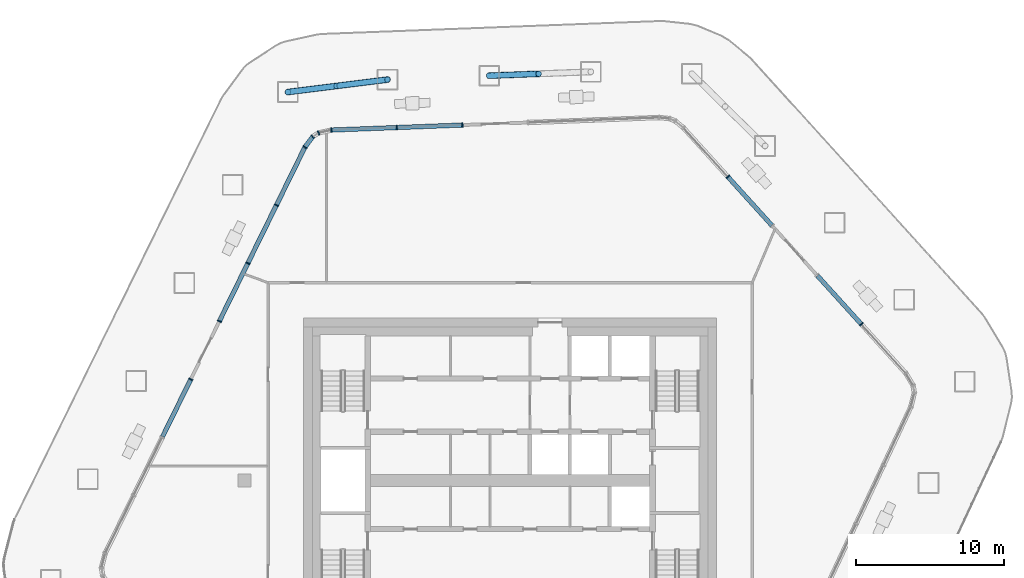
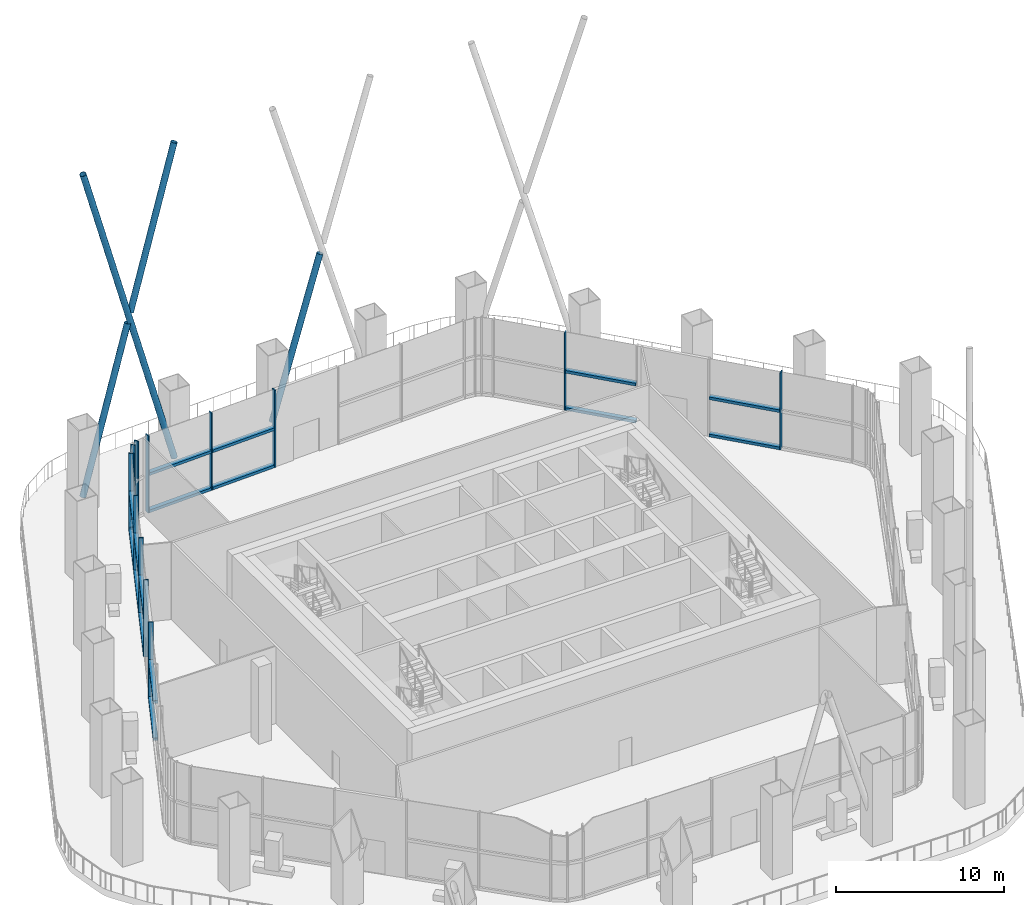
# One storey, part 4 of 20: 34 members, 6 elements without a shape of their own.
"""IFC4 building model written with IfcOpenShell, lengths in metres."""

from ifc_helpers import new_model, si_unit, direction, frame, origin, origin_2d, place, context, subcontext, project, spatial, rectangle, hollow_circle, extrude, material, layer, layer_set, material_profile, profile_set, type_object, element, aggregate, save


model = new_model("IFC4")

# Units and contexts
model_context = context("Model", 3, precision=1e-05, world=origin(), true_north=direction((0.0, 1.0)))
body_context = subcontext(model_context, "Body", "Model", "MODEL_VIEW")
ifc_project = project(units=[si_unit("LENGTHUNIT", "METRE"), si_unit("AREAUNIT", "SQUARE_METRE"), si_unit("VOLUMEUNIT", "CUBIC_METRE"), si_unit("PLANEANGLEUNIT", "RADIAN"), si_unit("MASSUNIT", "GRAM", prefix="KILO")], contexts=[model_context])

# Site, building, storey
site_placement = place(None, origin())
site = spatial("IfcSite", under=ifc_project, at=site_placement, CompositionType="ELEMENT")
building_placement = place(site_placement, origin())
building = spatial("IfcBuilding", under=site, at=building_placement, Name="Dongbaek Canopy Tower", CompositionType="ELEMENT")
storey_placement = place(building_placement, frame((0.0, 0.0, 353.0)))
storey = spatial("IfcBuildingStorey", under=building, at=storey_placement, Name="L76", CompositionType="ELEMENT", Elevation=353.0)

# Members
ifc_material_1 = material(Name="Steel S355", Category="steel")
ifc_material_profile_1 = material_profile(ifc_material_1, hollow_circle(Radius=0.203125, WallThickness=0.0126953125, at=origin_2d()), Name="COLONNADE BRACE CHS 406.4x12.7 Steel S355")
ifc_profile_set_1 = profile_set([ifc_material_profile_1], Name="Steel S355")
member_type_1 = type_object("IfcMemberType", Name="COLONNADE BRACE CHS 406.4x12.7 Steel S355", PredefinedType="BRACE", material=ifc_profile_set_1)
member_1_placement = place(storey_placement, frame((-1.41796875, 27.427978515625, 0.60009765625), z_axis=(0.292181821972, 0.011198458056, 0.956297222335), x_axis=(-0.038298898903, 0.999266328034, 0.0)))
element("IfcMember", 1, at=member_1_placement, inside=storey, type_object=member_type_1, Name="XBRACE:18:1", PredefinedType="BRACE", context=body_context, shape_type="SweptSolid", body=[
    extrude(hollow_circle(Radius=0.203125, WallThickness=0.0126953125, at=origin_2d()), origin(), (0.0, 0.0, 1.0), 11.467529296875),
])
member_2_placement = place(storey_placement, frame((-8.30908203125, 27.1640625, 0.60009765625), z_axis=(-0.27705617404, -0.03458694754, 0.960231024018), x_axis=(0.123875779915, -0.992297733118, 0.0)))
element("IfcMember", 2, at=member_2_placement, inside=storey, type_object=member_type_1, Name="XBRACE:20:0", PredefinedType="BRACE", context=body_context, shape_type="SweptSolid", body=[
    extrude(hollow_circle(Radius=0.203125, WallThickness=0.0126953125, at=origin_2d()), origin(), (0.0, 0.0, 1.0), 24.373779296875),
])
member_3_placement = place(storey_placement, frame((-15.06201171875, 26.321044921875, 0.60009765625), z_axis=(0.282915989124, 0.035301869658, 0.958494820589), x_axis=(-0.123818445044, 0.992304888966, 0.0)))
element("IfcMember", 3, at=member_3_placement, inside=storey, type_object=member_type_1, Name="XBRACE:20:1", PredefinedType="BRACE", context=body_context, shape_type="SweptSolid", body=[
    extrude(hollow_circle(Radius=0.203125, WallThickness=0.0126953125, at=origin_2d()), origin(), (0.0, 0.0, 1.0), 11.694580078125),
])
member_4_placement = place(storey_placement, frame((-8.30908203125, 27.1640625, 23.477783203125), z_axis=(-0.282928459884, -0.035328655702, -0.958490152622), x_axis=(0.123905575137, -0.992294013108, 0.0)))
element("IfcMember", 4, at=member_4_placement, inside=storey, type_object=member_type_1, Name="XBRACE:20:2", PredefinedType="BRACE", context=body_context, shape_type="SweptSolid", body=[
    extrude(hollow_circle(Radius=0.203125, WallThickness=0.0126953125, at=origin_2d()), origin(), (0.0, 0.0, 1.0), 11.423095703125),
])

# Curtain wall, member
ifc_material_2 = material(Name="Aluminium 6063-T6 pale anodised", Category="aluminium")
ifc_layer = layer(ifc_material_2, 0.300048828125)
ifc_layer_set = layer_set([ifc_layer], Name="CW-5 observation lounge curtain wall")
curtain_wall_type = type_object("IfcCurtainWallType", Name="CW-5 observation lounge curtain wall", PredefinedType="NOTDEFINED", material=ifc_layer_set)
curtain_wall_1_placement = place(storey_placement, origin())
curtain_wall_1 = element("IfcCurtainWall", 5, at=curtain_wall_1_placement, inside=storey, type_object=curtain_wall_type, Name="CW-5 curtain wall F0.1", PredefinedType="NOTDEFINED")
ifc_material_3 = material(Name="Aluminium 6063-T6 pale anodised", Category="aluminium")
ifc_material_profile_2 = material_profile(ifc_material_3, rectangle(XDim=0.300048828125, YDim=0.080078125, at=origin_2d()), Name="CW-5 mullion 80 x 300")
ifc_profile_set_2 = profile_set([ifc_material_profile_2], Name="Aluminium 6063-T6 pale anodised")
member_type_2 = type_object("IfcMemberType", Name="CW-5 mullion 80 x 300", PredefinedType="MULLION", material=ifc_profile_set_2)
member_5_placement = place(storey_placement, frame((23.802490234375, 10.585205078125, 0.0), z_axis=(0.0, 0.0, 1.0), x_axis=(0.741222235165, 0.671259709872, 0.0)))
member_5 = element("IfcMember", 6, at=member_5_placement, type_object=member_type_2, Name="CW-5 mullion F0.1.2", PredefinedType="MULLION", context=body_context, shape_type="SweptSolid", body=[
    extrude(rectangle(XDim=0.300048828125, YDim=0.080078125, at=origin_2d()), origin(), (0.0, 0.0, 1.0), 5.60009765625),
])

curtain_wall_2_placement = place(storey_placement, origin())
curtain_wall_2 = element("IfcCurtainWall", 7, at=curtain_wall_2_placement, inside=storey, type_object=curtain_wall_type, Name="CW-5 curtain wall F0.2", PredefinedType="NOTDEFINED")
member_6_placement = place(storey_placement, frame((14.755615234375, 20.5751953125, 0.0), z_axis=(0.0, 0.0, 1.0), x_axis=(0.741222235165, 0.671259709872, 0.0)))
member_6 = element("IfcMember", 8, at=member_6_placement, type_object=member_type_2, Name="CW-5 mullion F0.2.2", PredefinedType="MULLION", context=body_context, shape_type="SweptSolid", body=[
    extrude(rectangle(XDim=0.300048828125, YDim=0.080078125, at=origin_2d()), origin(), (0.0, 0.0, 1.0), 5.60009765625),
])

# Curtain wall, members
curtain_wall_3_placement = place(storey_placement, origin())
curtain_wall_3 = element("IfcCurtainWall", 9, at=curtain_wall_3_placement, inside=storey, type_object=curtain_wall_type, Name="CW-5 curtain wall F1.2", PredefinedType="NOTDEFINED")
member_7_placement = place(storey_placement, frame((-3.2314453125, 24.084716796875, 0.0), z_axis=(0.0, 0.0, 1.0), x_axis=(-0.038231971473, 0.999268890918, 0.0)))
member_7 = element("IfcMember", 10, at=member_7_placement, type_object=member_type_2, Name="CW-5 mullion F1.2.1", PredefinedType="MULLION", context=body_context, shape_type="SweptSolid", body=[
    extrude(rectangle(XDim=0.300048828125, YDim=0.080078125, at=origin_2d()), origin(), (0.0, 0.0, 1.0), 5.60009765625),
])
member_8_placement = place(storey_placement, frame((-7.675537109375, 23.914794921875, 0.0), z_axis=(0.0, 0.0, 1.0), x_axis=(-0.038231971473, 0.999268890918, 0.0)))
member_8 = element("IfcMember", 11, at=member_8_placement, type_object=member_type_2, Name="CW-5 mullion F1.2.2", PredefinedType="MULLION", context=body_context, shape_type="SweptSolid", body=[
    extrude(rectangle(XDim=0.300048828125, YDim=0.080078125, at=origin_2d()), origin(), (0.0, 0.0, 1.0), 5.60009765625),
])
member_9_placement = place(storey_placement, frame((-12.110595703125, 23.7451171875, 0.0), z_axis=(0.0, 0.0, 1.0), x_axis=(-0.038231971473, 0.999268890918, 0.0)))
member_9 = element("IfcMember", 12, at=member_9_placement, type_object=member_type_2, Name="CW-5 mullion F1.2.3", PredefinedType="MULLION", context=body_context, shape_type="SweptSolid", body=[
    extrude(rectangle(XDim=0.300048828125, YDim=0.080078125, at=origin_2d()), origin(), (0.0, 0.0, 1.0), 5.60009765625),
])

curtain_wall_4_placement = place(storey_placement, origin())
curtain_wall_4 = element("IfcCurtainWall", 13, at=curtain_wall_4_placement, inside=storey, type_object=curtain_wall_type, Name="CW-5 curtain wall K1.1", PredefinedType="NOTDEFINED")
member_10_placement = place(storey_placement, frame((-12.982177734375, 23.552490234375, 0.0), z_axis=(0.0, 0.0, 1.0), x_axis=(-0.386402669499, 0.922330188709, 0.0)))
member_10 = element("IfcMember", 14, at=member_10_placement, type_object=member_type_2, Name="CW-5 mullion K1.1.2", PredefinedType="MULLION", context=body_context, shape_type="SweptSolid", body=[
    extrude(rectangle(XDim=0.300048828125, YDim=0.080078125, at=origin_2d()), origin(), (0.0, 0.0, 1.0), 5.60009765625),
])
member_11_placement = place(storey_placement, frame((-13.37841796875, 23.295166015625, 0.0), z_axis=(0.0, 0.0, 1.0), x_axis=(-0.685445785123, 0.728123667832, 0.0)))
member_11 = element("IfcMember", 15, at=member_11_placement, type_object=member_type_2, Name="CW-5 mullion K1.1.3", PredefinedType="MULLION", context=body_context, shape_type="SweptSolid", body=[
    extrude(rectangle(XDim=0.300048828125, YDim=0.080078125, at=origin_2d()), origin(), (0.0, 0.0, 1.0), 5.60009765625),
])
member_12_placement = place(storey_placement, frame((-13.908935546875, 22.5771484375, 0.0), z_axis=(0.0, 0.0, 1.0), x_axis=(-0.804278448843, 0.594252620294, 0.0)))
member_12 = element("IfcMember", 16, at=member_12_placement, type_object=member_type_2, Name="CW-5 mullion K1.1.4", PredefinedType="MULLION", context=body_context, shape_type="SweptSolid", body=[
    extrude(rectangle(XDim=0.300048828125, YDim=0.080078125, at=origin_2d()), origin(), (0.0, 0.0, 1.0), 5.60009765625),
])

curtain_wall_5_placement = place(storey_placement, origin())
curtain_wall_5 = element("IfcCurtainWall", 17, at=curtain_wall_5_placement, inside=storey, type_object=curtain_wall_type, Name="CW-5 curtain wall F2.1", PredefinedType="NOTDEFINED")
member_13_placement = place(storey_placement, frame((-15.839111328125, 18.652587890625, 0.0), z_axis=(0.0, 0.0, 1.0), x_axis=(-0.897339164959, 0.441341617152, 0.0)))
member_13 = element("IfcMember", 18, at=member_13_placement, type_object=member_type_2, Name="CW-5 mullion F2.1.2", PredefinedType="MULLION", context=body_context, shape_type="SweptSolid", body=[
    extrude(rectangle(XDim=0.300048828125, YDim=0.080078125, at=origin_2d()), origin(), (0.0, 0.0, 1.0), 5.60009765625),
])
member_14_placement = place(storey_placement, frame((-17.7734375, 14.7197265625, 0.0), z_axis=(0.0, 0.0, 1.0), x_axis=(-0.897339164959, 0.441341617152, 0.0)))
member_14 = element("IfcMember", 19, at=member_14_placement, type_object=member_type_2, Name="CW-5 mullion F2.1.3", PredefinedType="MULLION", context=body_context, shape_type="SweptSolid", body=[
    extrude(rectangle(XDim=0.300048828125, YDim=0.080078125, at=origin_2d()), origin(), (0.0, 0.0, 1.0), 5.60009765625),
])
member_15_placement = place(storey_placement, frame((-19.707763671875, 10.786865234375, 0.0), z_axis=(0.0, 0.0, 1.0), x_axis=(-0.897339164959, 0.441341617152, 0.0)))
member_15 = element("IfcMember", 20, at=member_15_placement, type_object=member_type_2, Name="CW-5 mullion F2.1.4", PredefinedType="MULLION", context=body_context, shape_type="SweptSolid", body=[
    extrude(rectangle(XDim=0.300048828125, YDim=0.080078125, at=origin_2d()), origin(), (0.0, 0.0, 1.0), 5.60009765625),
])

# Curtain wall, member
curtain_wall_6_placement = place(storey_placement, origin())
curtain_wall_6 = element("IfcCurtainWall", 21, at=curtain_wall_6_placement, inside=storey, type_object=curtain_wall_type, Name="CW-5 curtain wall F2.2", PredefinedType="NOTDEFINED")
member_16_placement = place(storey_placement, frame((-21.64208984375, 6.85400390625, 0.0), z_axis=(0.0, 0.0, 1.0), x_axis=(-0.897339164959, 0.441341617152, 0.0)))
member_16 = element("IfcMember", 22, at=member_16_placement, type_object=member_type_2, Name="CW-5 mullion F2.2.1", PredefinedType="MULLION", context=body_context, shape_type="SweptSolid", body=[
    extrude(rectangle(XDim=0.300048828125, YDim=0.080078125, at=origin_2d()), origin(), (0.0, 0.0, 1.0), 5.60009765625),
])

# Member
ifc_material_4 = material(Name="Aluminium 6063-T6 pale anodised", Category="aluminium")
ifc_material_profile_3 = material_profile(ifc_material_4, rectangle(XDim=0.300048828125, YDim=0.199951171875, at=origin_2d()), Name="CW-5 transom 200 x 300")
ifc_profile_set_3 = profile_set([ifc_material_profile_3], Name="Aluminium 6063-T6 pale anodised")
member_type_3 = type_object("IfcMemberType", Name="CW-5 transom 200 x 300", PredefinedType="USERDEFINED", material=ifc_profile_set_3)
member_17_placement = place(storey_placement, frame((23.767578125, 10.623779296875, 0.10009765625), z_axis=(-0.671248292385, 0.741232574817, 0.0), x_axis=(-0.741232574817, -0.671248292385, 0.0)))
member_17 = element("IfcMember", 23, at=member_17_placement, type_object=member_type_3, Name="CW-5 transom F0.1.2.1", ObjectType="TRANSOM", PredefinedType="USERDEFINED", context=body_context, shape_type="SweptSolid", body=[
    extrude(rectangle(XDim=0.300048828125, YDim=0.199951171875, at=origin_2d()), origin(), (0.0, 0.0, 1.0), 4.388427734375),
])

member_18_placement = place(storey_placement, frame((23.767578125, 10.623779296875, 2.800048828125), z_axis=(-0.671248292385, 0.741232574817, 0.0), x_axis=(-0.741232574817, -0.671248292385, 0.0)))
member_18 = element("IfcMember", 24, at=member_18_placement, type_object=member_type_3, Name="CW-5 transom F0.1.2.2", ObjectType="TRANSOM", PredefinedType="USERDEFINED", context=body_context, shape_type="SweptSolid", body=[
    extrude(rectangle(XDim=0.300048828125, YDim=0.199951171875, at=origin_2d()), origin(), (0.0, 0.0, 1.0), 4.388427734375),
])

aggregate(curtain_wall_1, [member_5, member_17, member_18])

member_19_placement = place(storey_placement, frame((17.736328125, 17.28369140625, 0.10009765625), z_axis=(-0.671248292385, 0.741232574817, 0.0), x_axis=(-0.741232574817, -0.671248292385, 0.0)))
member_19 = element("IfcMember", 25, at=member_19_placement, type_object=member_type_3, Name="CW-5 transom F0.2.1.1", ObjectType="TRANSOM", PredefinedType="USERDEFINED", context=body_context, shape_type="SweptSolid", body=[
    extrude(rectangle(XDim=0.300048828125, YDim=0.199951171875, at=origin_2d()), origin(), (0.0, 0.0, 1.0), 4.388427734375),
])

member_20_placement = place(storey_placement, frame((17.736328125, 17.28369140625, 2.800048828125), z_axis=(-0.671248292385, 0.741232574817, 0.0), x_axis=(-0.741232574817, -0.671248292385, 0.0)))
member_20 = element("IfcMember", 26, at=member_20_placement, type_object=member_type_3, Name="CW-5 transom F0.2.1.2", ObjectType="TRANSOM", PredefinedType="USERDEFINED", context=body_context, shape_type="SweptSolid", body=[
    extrude(rectangle(XDim=0.300048828125, YDim=0.199951171875, at=origin_2d()), origin(), (0.0, 0.0, 1.0), 4.388427734375),
])

aggregate(curtain_wall_2, [member_6, member_19, member_20])

member_21_placement = place(storey_placement, frame((-3.283447265625, 24.082763671875, 0.10009765625), z_axis=(-0.999269206607, -0.03822371944, 0.0), x_axis=(0.03822371944, -0.999269206607, 0.0)))
member_21 = element("IfcMember", 27, at=member_21_placement, type_object=member_type_3, Name="CW-5 transom F1.2.1.1", ObjectType="TRANSOM", PredefinedType="USERDEFINED", context=body_context, shape_type="SweptSolid", body=[
    extrude(rectangle(XDim=0.300048828125, YDim=0.199951171875, at=origin_2d()), origin(), (0.0, 0.0, 1.0), 4.34326171875),
])

member_22_placement = place(storey_placement, frame((-3.283447265625, 24.082763671875, 2.800048828125), z_axis=(-0.999269206607, -0.03822371944, 0.0), x_axis=(0.03822371944, -0.999269206607, 0.0)))
member_22 = element("IfcMember", 28, at=member_22_placement, type_object=member_type_3, Name="CW-5 transom F1.2.1.2", ObjectType="TRANSOM", PredefinedType="USERDEFINED", context=body_context, shape_type="SweptSolid", body=[
    extrude(rectangle(XDim=0.300048828125, YDim=0.199951171875, at=origin_2d()), origin(), (0.0, 0.0, 1.0), 4.34326171875),
])

member_23_placement = place(storey_placement, frame((-7.7275390625, 23.912841796875, 0.10009765625), z_axis=(-0.999268312785, -0.038247079165, 0.0), x_axis=(0.038247079165, -0.999268312785, 0.0)))
member_23 = element("IfcMember", 29, at=member_23_placement, type_object=member_type_3, Name="CW-5 transom F1.2.2.1", ObjectType="TRANSOM", PredefinedType="USERDEFINED", context=body_context, shape_type="SweptSolid", body=[
    extrude(rectangle(XDim=0.300048828125, YDim=0.199951171875, at=origin_2d()), origin(), (0.0, 0.0, 1.0), 4.334228515625),
])

member_24_placement = place(storey_placement, frame((-7.7275390625, 23.912841796875, 2.800048828125), z_axis=(-0.999268312785, -0.038247079165, 0.0), x_axis=(0.038247079165, -0.999268312785, 0.0)))
member_24 = element("IfcMember", 30, at=member_24_placement, type_object=member_type_3, Name="CW-5 transom F1.2.2.2", ObjectType="TRANSOM", PredefinedType="USERDEFINED", context=body_context, shape_type="SweptSolid", body=[
    extrude(rectangle(XDim=0.300048828125, YDim=0.199951171875, at=origin_2d()), origin(), (0.0, 0.0, 1.0), 4.334228515625),
])

aggregate(curtain_wall_3, [member_7, member_8, member_9, member_21, member_22, member_23, member_24])

member_25_placement = place(storey_placement, frame((-13.409423828125, 23.25341796875, 0.10009765625), z_axis=(-0.594138576021, -0.804362699585, 0.0), x_axis=(0.804362699585, -0.594138576021, 0.0)))
member_25 = element("IfcMember", 31, at=member_25_placement, type_object=member_type_3, Name="CW-5 transom K1.1.3.1", ObjectType="TRANSOM", PredefinedType="USERDEFINED", context=body_context, shape_type="SweptSolid", body=[
    extrude(rectangle(XDim=0.300048828125, YDim=0.199951171875, at=origin_2d()), origin(), (0.0, 0.0, 1.0), 0.78857421875),
])

member_26_placement = place(storey_placement, frame((-13.409423828125, 23.25341796875, 2.800048828125), z_axis=(-0.594138576021, -0.804362699585, 0.0), x_axis=(0.804362699585, -0.594138576021, 0.0)))
member_26 = element("IfcMember", 32, at=member_26_placement, type_object=member_type_3, Name="CW-5 transom K1.1.3.2", ObjectType="TRANSOM", PredefinedType="USERDEFINED", context=body_context, shape_type="SweptSolid", body=[
    extrude(rectangle(XDim=0.300048828125, YDim=0.199951171875, at=origin_2d()), origin(), (0.0, 0.0, 1.0), 0.78857421875),
])

aggregate(curtain_wall_4, [member_10, member_11, member_12, member_25, member_26])

member_27_placement = place(storey_placement, frame((-13.931884765625, 22.530517578125, 0.10009765625), z_axis=(-0.441325694087, -0.897346996283, 0.0), x_axis=(0.897346996283, -0.441325694087, 0.0)))
member_27 = element("IfcMember", 33, at=member_27_placement, type_object=member_type_3, Name="CW-5 transom F2.1.1.1", ObjectType="TRANSOM", PredefinedType="USERDEFINED", context=body_context, shape_type="SweptSolid", body=[
    extrude(rectangle(XDim=0.300048828125, YDim=0.199951171875, at=origin_2d()), origin(), (0.0, 0.0, 1.0), 4.26953125),
])

member_28_placement = place(storey_placement, frame((-13.931884765625, 22.530517578125, 2.800048828125), z_axis=(-0.441325694087, -0.897346996283, 0.0), x_axis=(0.897346996283, -0.441325694087, 0.0)))
member_28 = element("IfcMember", 34, at=member_28_placement, type_object=member_type_3, Name="CW-5 transom F2.1.1.2", ObjectType="TRANSOM", PredefinedType="USERDEFINED", context=body_context, shape_type="SweptSolid", body=[
    extrude(rectangle(XDim=0.300048828125, YDim=0.199951171875, at=origin_2d()), origin(), (0.0, 0.0, 1.0), 4.26953125),
])

member_29_placement = place(storey_placement, frame((-15.862060546875, 18.60595703125, 0.10009765625), z_axis=(-0.441338485157, -0.897340705373, 0.0), x_axis=(0.897340705373, -0.441338485157, 0.0)))
member_29 = element("IfcMember", 35, at=member_29_placement, type_object=member_type_3, Name="CW-5 transom F2.1.2.1", ObjectType="TRANSOM", PredefinedType="USERDEFINED", context=body_context, shape_type="SweptSolid", body=[
    extrude(rectangle(XDim=0.300048828125, YDim=0.199951171875, at=origin_2d()), origin(), (0.0, 0.0, 1.0), 4.27880859375),
])

member_30_placement = place(storey_placement, frame((-15.862060546875, 18.60595703125, 2.800048828125), z_axis=(-0.441338485157, -0.897340705373, 0.0), x_axis=(0.897340705373, -0.441338485157, 0.0)))
member_30 = element("IfcMember", 36, at=member_30_placement, type_object=member_type_3, Name="CW-5 transom F2.1.2.2", ObjectType="TRANSOM", PredefinedType="USERDEFINED", context=body_context, shape_type="SweptSolid", body=[
    extrude(rectangle(XDim=0.300048828125, YDim=0.199951171875, at=origin_2d()), origin(), (0.0, 0.0, 1.0), 4.27880859375),
])

member_31_placement = place(storey_placement, frame((-17.79638671875, 14.673095703125, 0.10009765625), z_axis=(-0.441338485157, -0.897340705373, 0.0), x_axis=(0.897340705373, -0.441338485157, 0.0)))
member_31 = element("IfcMember", 37, at=member_31_placement, type_object=member_type_3, Name="CW-5 transom F2.1.3.1", ObjectType="TRANSOM", PredefinedType="USERDEFINED", context=body_context, shape_type="SweptSolid", body=[
    extrude(rectangle(XDim=0.300048828125, YDim=0.199951171875, at=origin_2d()), origin(), (0.0, 0.0, 1.0), 4.27880859375),
])

member_32_placement = place(storey_placement, frame((-17.79638671875, 14.673095703125, 2.800048828125), z_axis=(-0.441338485157, -0.897340705373, 0.0), x_axis=(0.897340705373, -0.441338485157, 0.0)))
member_32 = element("IfcMember", 38, at=member_32_placement, type_object=member_type_3, Name="CW-5 transom F2.1.3.2", ObjectType="TRANSOM", PredefinedType="USERDEFINED", context=body_context, shape_type="SweptSolid", body=[
    extrude(rectangle(XDim=0.300048828125, YDim=0.199951171875, at=origin_2d()), origin(), (0.0, 0.0, 1.0), 4.27880859375),
])

aggregate(curtain_wall_5, [member_13, member_14, member_15, member_27, member_28, member_29, member_30, member_31, member_32])

member_33_placement = place(storey_placement, frame((-21.6650390625, 6.807373046875, 0.10009765625), z_axis=(-0.441361082647, -0.897329590911, 0.0), x_axis=(0.897329590911, -0.441361082647, 0.0)))
member_33 = element("IfcMember", 39, at=member_33_placement, type_object=member_type_3, Name="CW-5 transom F2.2.1.1", ObjectType="TRANSOM", PredefinedType="USERDEFINED", context=body_context, shape_type="SweptSolid", body=[
    extrude(rectangle(XDim=0.300048828125, YDim=0.199951171875, at=origin_2d()), origin(), (0.0, 0.0, 1.0), 4.278564453125),
])

member_34_placement = place(storey_placement, frame((-21.6650390625, 6.807373046875, 2.800048828125), z_axis=(-0.441361082647, -0.897329590911, 0.0), x_axis=(0.897329590911, -0.441361082647, 0.0)))
member_34 = element("IfcMember", 40, at=member_34_placement, type_object=member_type_3, Name="CW-5 transom F2.2.1.2", ObjectType="TRANSOM", PredefinedType="USERDEFINED", context=body_context, shape_type="SweptSolid", body=[
    extrude(rectangle(XDim=0.300048828125, YDim=0.199951171875, at=origin_2d()), origin(), (0.0, 0.0, 1.0), 4.278564453125),
])

aggregate(curtain_wall_6, [member_16, member_33, member_34])

save(model, "model.ifc")
